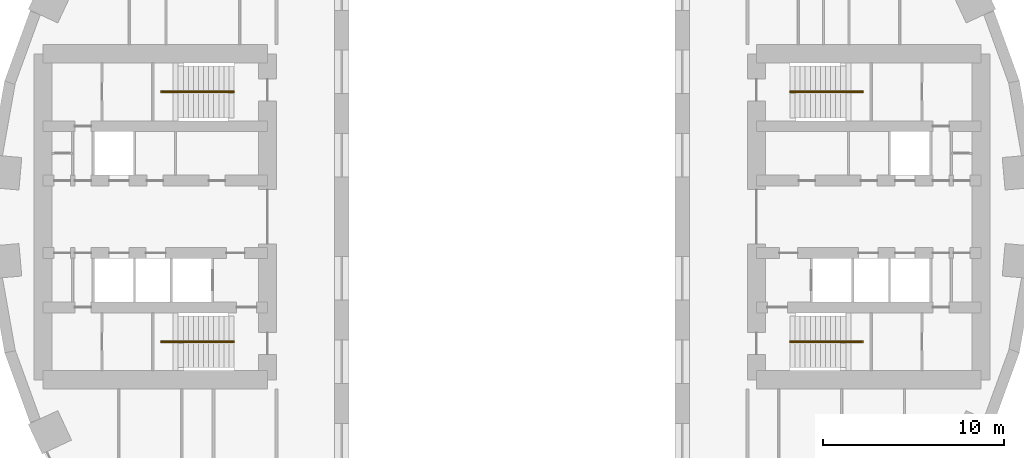
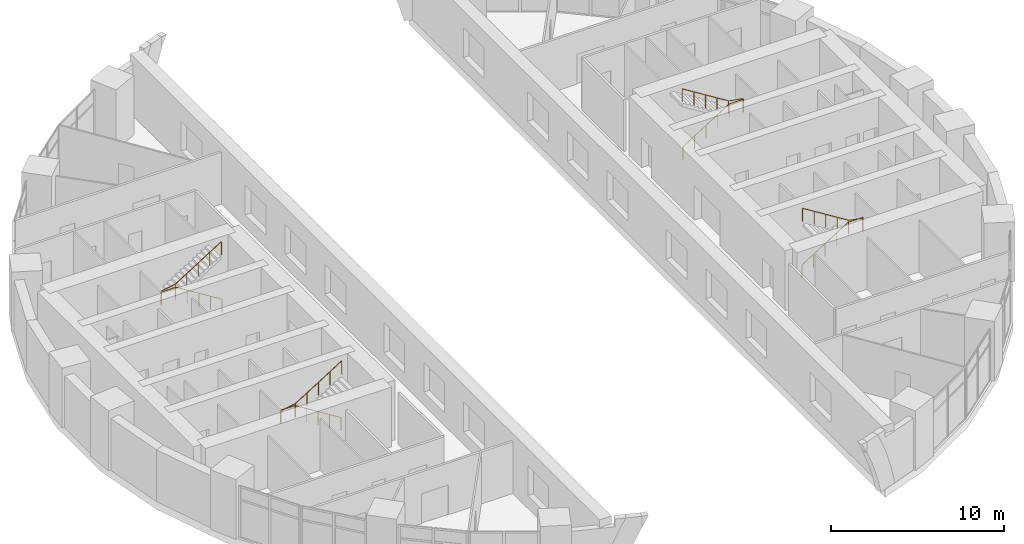
# One storey, part 13 of 13: 4 railings.
"""IFC4 building model written with IfcOpenShell, lengths in metres."""

import ifcopenshell
import ifcopenshell.guid

model = None  # the IFC model being written
_history = None  # IfcOwnerHistory: only IFC2X3 demands one
_inside = {}  # id of a spatial element -> (the spatial element, [elements in it])
_under = {}  # id of a project, library or spatial element -> (it, [spatial elements below it])
_declared = {}  # id of a project -> (the project, [libraries it declares])
_typed = {}  # id of a type object -> (the type object, [elements of that type])
_made_of = {}  # id of a material, layer set ... -> (it, [elements and type objects made of it])


def new_model(schema):
    """Start an empty IFC model of exactly this schema.

    Asked for "IFC4X3", IfcOpenShell would pick the latest addendum, in which some entities
    have other attributes; the version numbers below select the first issue.
    IFC2X3 requires an IfcOwnerHistory on every rooted entity: one is made here for all.
    """
    global model, _history
    if schema == "IFC4X3":
        model = ifcopenshell.file(schema_version=(4, 3, 0, 0))
    else:
        model = ifcopenshell.file(schema=schema)
    _inside.clear()
    _under.clear()
    _declared.clear()
    _typed.clear()
    _made_of.clear()
    _history = None
    if model.schema == "IFC2X3":
        org = make("IfcOrganization", Name="unknown")
        user = make(
            "IfcPersonAndOrganization",
            ThePerson=make("IfcPerson", FamilyName="unknown"),
            TheOrganization=org,
        )
        app = make(
            "IfcApplication",
            ApplicationDeveloper=org,
            Version="unknown",
            ApplicationFullName="unknown",
            ApplicationIdentifier="unknown",
        )
        _history = make(
            "IfcOwnerHistory",
            OwningUser=user,
            OwningApplication=app,
            ChangeAction="ADDED",
            CreationDate=0,
        )
    return model


def make(cls, **values):
    """One entity of the class cls with the attributes given. An attribute that is None is left unset."""
    return model.create_entity(
        cls, **{name: value for name, value in values.items() if value is not None}
    )


def rooted(cls, **values):
    """An entity with a GlobalId (a new one), such as an element, a storey or a relation."""
    return make(cls, GlobalId=ifcopenshell.guid.new(), OwnerHistory=_history, **values)


def si_unit(unit_type, name, prefix=None):
    """IfcSIUnit, for example si_unit("LENGTHUNIT", "METRE", prefix="MILLI")."""
    return make("IfcSIUnit", UnitType=unit_type, Prefix=prefix, Name=name)


def assignment(units):
    """IfcUnitAssignment: the units of a project."""
    return None if units is None else make("IfcUnitAssignment", Units=units)


def point(xyz):
    """IfcCartesianPoint."""
    return None if xyz is None else make("IfcCartesianPoint", Coordinates=xyz)


def direction(xyz):
    """IfcDirection."""
    return None if xyz is None else make("IfcDirection", DirectionRatios=xyz)


def frame(location, z_axis=None, x_axis=None):
    """IfcAxis2Placement3D, a coordinate frame: its origin and axes. An axis left out is left unset."""
    return make(
        "IfcAxis2Placement3D",
        Location=point(location),
        Axis=direction(z_axis),
        RefDirection=direction(x_axis),
    )


def frame_2d(location, x_axis=None):
    """IfcAxis2Placement2D, a coordinate frame in the plane: its origin and x axis."""
    return make(
        "IfcAxis2Placement2D", Location=point(location), RefDirection=direction(x_axis)
    )


def origin():
    """The frame at (0, 0, 0) with its axes left unset."""
    return frame((0.0, 0.0, 0.0))


def origin_2d():
    """The frame at (0, 0) in the plane with its x axis left unset."""
    return frame_2d((0.0, 0.0))


def place(relative_to, where):
    """IfcLocalPlacement: puts the frame where relative to a parent placement (None: the world)."""
    return make(
        "IfcLocalPlacement", PlacementRelTo=relative_to, RelativePlacement=where
    )


def context(
    kind, dimensions, precision=None, world=None, true_north=None, identifier=None
):
    """IfcGeometricRepresentationContext, for example the 3D "Model" context."""
    return make(
        "IfcGeometricRepresentationContext",
        ContextIdentifier=identifier,
        ContextType=kind,
        CoordinateSpaceDimension=dimensions,
        Precision=precision,
        WorldCoordinateSystem=world,
        TrueNorth=true_north,
    )


def subcontext(parent, identifier, kind, view, scale=None):
    """IfcGeometricRepresentationSubContext, for example "Body" below "Model"."""
    return make(
        "IfcGeometricRepresentationSubContext",
        ContextIdentifier=identifier,
        ContextType=kind,
        ParentContext=parent,
        TargetScale=scale,
        TargetView=view,
    )


def project(units=None, contexts=None):
    """IfcProject with its units and contexts."""
    return rooted(
        "IfcProject",
        Name="project",
        RepresentationContexts=contexts,
        UnitsInContext=assignment(units),
    )


def spatial(cls, under=None, at=None, **own):
    """A site, building, storey or space (cls), placed at a placement, below another one or the project."""
    s = rooted(cls, ObjectPlacement=at, **own)
    if under is not None:
        _under.setdefault(under.id(), (under, []))[1].append(s)
    return s


def profile(cls, at=None, kind="AREA", **sizes):
    """A parametric profile (cls). Its sizes go by their IFC names, for example OverallWidth=200.0."""
    return make(cls, ProfileType=kind, Position=at, **sizes)


def circle(**sizes):
    """IfcCircleProfileDef."""
    return profile("IfcCircleProfileDef", **sizes)


def extrude(swept, where, along, depth):
    """IfcExtrudedAreaSolid: the profile swept, set in the frame where, extruded along a direction by depth."""
    return make(
        "IfcExtrudedAreaSolid",
        SweptArea=swept,
        Position=where,
        ExtrudedDirection=direction(along),
        Depth=depth,
    )


def shape(context_of_items, identifier, shape_type, items):
    """IfcShapeRepresentation: the items that make up one representation, for example the "Body"."""
    return make(
        "IfcShapeRepresentation",
        ContextOfItems=context_of_items,
        RepresentationIdentifier=identifier,
        RepresentationType=shape_type,
        Items=items,
    )


def material(Name=None, Category=None):
    """IfcMaterial."""
    return make("IfcMaterial", Name=Name, Category=Category)


def made_of(thing, what):
    """Note that an element or type object is made of a material, layer set ...; save() writes the relation."""
    if what is not None:
        _made_of.setdefault(what.id(), (what, []))[1].append(thing)
    return thing


def type_object(cls, material=None, **own):
    """A type object (cls), such as IfcWallType, which elements share."""
    return made_of(rooted(cls, **own), material)


def element(
    cls,
    number,
    at=None,
    inside=None,
    cuts=None,
    type_object=None,
    material=None,
    context=None,
    identifier="Body",
    shape_type=None,
    held_by="IfcProductDefinitionShape",
    body=None,
    shapes=None,
    **own,
):
    """One element of the class cls, such as IfcWall. Its Tag is "e" and its number.

    at: its placement. inside: the storey or other place that contains it. cuts: it is an
    opening in that element (IfcRelVoidsElement). A single representation is given by context,
    identifier, shape_type and body (its items); several are given by shapes. held_by: the class
    of the entity that holds the representations. save() writes the other relations.
    """
    e = rooted(cls, Tag="e%d" % number, ObjectPlacement=at, **own)
    if body is not None:
        shapes = [shape(context, identifier, shape_type, body)]
    if shapes is not None:
        e.Representation = make(held_by, Representations=shapes)
    if inside is not None:
        _inside.setdefault(inside.id(), (inside, []))[1].append(e)
    if cuts is not None:
        rooted(
            "IfcRelVoidsElement", RelatingBuildingElement=cuts, RelatedOpeningElement=e
        )
    if type_object is not None:
        _typed.setdefault(type_object.id(), (type_object, []))[1].append(e)
    return made_of(e, material)


def aggregate(whole, parts):
    """IfcRelAggregates: a whole, such as a stair, and the parts it consists of."""
    return rooted("IfcRelAggregates", RelatingObject=whole, RelatedObjects=parts)


def save(model, path):
    """Write the relations noted so far, then the file.

    IfcRelAggregates (storeys below a building ...), IfcRelContainedInSpatialStructure (elements
    in a storey), IfcRelDefinesByType, IfcRelAssociatesMaterial and IfcRelDeclares: one each for
    every whole, place, type object, material and project.
    """
    for whole, parts in _under.values():
        aggregate(whole, parts)
    for where, things in _inside.values():
        rooted(
            "IfcRelContainedInSpatialStructure",
            RelatedElements=things,
            RelatingStructure=where,
        )
    for kind, things in _typed.values():
        rooted("IfcRelDefinesByType", RelatedObjects=things, RelatingType=kind)
    for what, things in _made_of.values():
        rooted("IfcRelAssociatesMaterial", RelatedObjects=things, RelatingMaterial=what)
    for by, libraries in _declared.values():
        rooted("IfcRelDeclares", RelatingContext=by, RelatedDefinitions=libraries)
    model.write(path)


model = new_model("IFC4")

# Units and contexts
model_context = context("Model", 3, precision=1e-05, world=origin(), true_north=direction((0.0, 1.0)))
body_context = subcontext(model_context, "Body", "Model", "MODEL_VIEW")
ifc_project = project(units=[si_unit("LENGTHUNIT", "METRE"), si_unit("AREAUNIT", "SQUARE_METRE"), si_unit("VOLUMEUNIT", "CUBIC_METRE"), si_unit("PLANEANGLEUNIT", "RADIAN"), si_unit("MASSUNIT", "GRAM", prefix="KILO")], contexts=[model_context])

# Site, building, storey
site_placement = place(None, origin())
site = spatial("IfcSite", under=ifc_project, at=site_placement, CompositionType="ELEMENT")
building_placement = place(site_placement, origin())
building = spatial("IfcBuilding", under=site, at=building_placement, Name="Saqina Gate Tower", CompositionType="ELEMENT")
storey_placement = place(building_placement, frame((0.0, 0.0, 9.199951171875)))
storey = spatial("IfcBuildingStorey", under=building, at=storey_placement, Name="L02", CompositionType="ELEMENT", Elevation=9.199951171875)

# Railings
ifc_material = material(Name="Stainless steel", Category="steel")
railing_type = type_object("IfcRailingType", Name="STAIR HANDRAIL", PredefinedType="HANDRAIL", material=ifc_material)
railing_1_placement = place(storey_placement, frame((15.35009765625, 6.86669921875, 0.175048828125)))
element("IfcRailing", 1, at=railing_1_placement, inside=storey, type_object=railing_type, Name="EXIT STAIR 1 HANDRAIL", PredefinedType="HANDRAIL", context=body_context, shape_type="SweptSolid", body=[
    extrude(circle(Radius=0.02392578125, at=origin_2d()), frame((0.0, 0.0, 0.92578125), z_axis=(0.847979421464, 0.0, 0.530029150871), x_axis=(0.0, 1.0, 0.0)), (0.0, 0.0, 1.0), 3.632080078125),
    extrude(circle(Radius=0.02392578125, at=origin_2d()), frame((3.079833984375, 0.0, 2.85107421875), z_axis=(1.0, 0.0, 0.0), x_axis=(0.0, 1.0, 0.0)), (0.0, 0.0, 1.0), 0.949951171875),
    extrude(circle(Radius=0.02392578125, at=origin_2d()), frame((4.02978515625, 0.0, 2.85107421875), z_axis=(0.0, 1.0, 0.0), x_axis=(-1.0, 0.0, 0.0)), (0.0, 0.0, 1.0), 0.066650390625),
    extrude(circle(Radius=0.02392578125, at=origin_2d()), frame((4.02978515625, 0.066650390625, 2.85107421875), z_axis=(-0.983442521697, 0.0, 0.181220325895), x_axis=(0.0, -1.0, 0.0)), (0.0, 0.0, 1.0), 0.966064453125),
    extrude(circle(Radius=0.02392578125, at=origin_2d()), frame((3.079833984375, 0.066650390625, 3.02587890625), z_axis=(-0.848009633417, 0.0, 0.529980812513), x_axis=(0.0, -1.0, 0.0)), (0.0, 0.0, 1.0), 3.6318359375),
    extrude(circle(Radius=0.02099609375, at=origin_2d()), origin(), (0.0, 0.0, 1.0), 0.90185546875),
    extrude(circle(Radius=0.02099609375, at=origin_2d()), frame((0.77001953125, 0.0, 0.481201171875)), (0.0, 0.0, 1.0), 0.90185546875),
    extrude(circle(Radius=0.02099609375, at=origin_2d()), frame((1.5400390625, 0.0, 0.96240234375)), (0.0, 0.0, 1.0), 0.90185546875),
    extrude(circle(Radius=0.02099609375, at=origin_2d()), frame((2.309814453125, 0.0, 1.44384765625)), (0.0, 0.0, 1.0), 0.90185546875),
    extrude(circle(Radius=0.02099609375, at=origin_2d()), frame((3.079833984375, 0.0, 1.925048828125)), (0.0, 0.0, 1.0), 0.90185546875),
    extrude(circle(Radius=0.02099609375, at=origin_2d()), frame((4.02978515625, 0.0, 1.925048828125)), (0.0, 0.0, 1.0), 0.90185546875),
    extrude(circle(Radius=0.02099609375, at=origin_2d()), frame((4.02978515625, 0.066650390625, 1.925048828125)), (0.0, 0.0, 1.0), 0.90185546875),
    extrude(circle(Radius=0.02099609375, at=origin_2d()), frame((3.079833984375, 0.066650390625, 2.10009765625)), (0.0, 0.0, 1.0), 0.90185546875),
    extrude(circle(Radius=0.02099609375, at=origin_2d()), frame((2.309814453125, 0.066650390625, 2.581298828125)), (0.0, 0.0, 1.0), 0.90185546875),
    extrude(circle(Radius=0.02099609375, at=origin_2d()), frame((1.5400390625, 0.066650390625, 3.0625)), (0.0, 0.0, 1.0), 0.90185546875),
    extrude(circle(Radius=0.02099609375, at=origin_2d()), frame((0.77001953125, 0.066650390625, 3.543701171875)), (0.0, 0.0, 1.0), 0.90185546875),
    extrude(circle(Radius=0.02099609375, at=origin_2d()), frame((0.0, 0.066650390625, 4.02490234375)), (0.0, 0.0, 1.0), 0.90185546875),
])
railing_2_placement = place(storey_placement, frame((15.35009765625, -6.86669921875, 0.175048828125)))
element("IfcRailing", 2, at=railing_2_placement, inside=storey, type_object=railing_type, Name="EXIT STAIR 2 HANDRAIL", PredefinedType="HANDRAIL", context=body_context, shape_type="SweptSolid", body=[
    extrude(circle(Radius=0.02392578125, at=origin_2d()), frame((0.0, 0.0, 0.92578125), z_axis=(0.847979421464, 0.0, 0.530029150871), x_axis=(0.0, 1.0, 0.0)), (0.0, 0.0, 1.0), 3.632080078125),
    extrude(circle(Radius=0.02392578125, at=origin_2d()), frame((3.079833984375, 0.0, 2.85107421875), z_axis=(1.0, 0.0, 0.0), x_axis=(0.0, 1.0, 0.0)), (0.0, 0.0, 1.0), 0.949951171875),
    extrude(circle(Radius=0.02392578125, at=origin_2d()), frame((4.02978515625, 0.0, 2.85107421875), z_axis=(0.0, -1.0, 0.0), x_axis=(1.0, 0.0, 0.0)), (0.0, 0.0, 1.0), 0.066650390625),
    extrude(circle(Radius=0.02392578125, at=origin_2d()), frame((4.02978515625, -0.066650390625, 2.85107421875), z_axis=(-0.983442521697, 0.0, 0.181220325895), x_axis=(0.0, -1.0, 0.0)), (0.0, 0.0, 1.0), 0.966064453125),
    extrude(circle(Radius=0.02392578125, at=origin_2d()), frame((3.079833984375, -0.066650390625, 3.02587890625), z_axis=(-0.848009633417, 0.0, 0.529980812513), x_axis=(0.0, -1.0, 0.0)), (0.0, 0.0, 1.0), 3.6318359375),
    extrude(circle(Radius=0.02099609375, at=origin_2d()), origin(), (0.0, 0.0, 1.0), 0.90185546875),
    extrude(circle(Radius=0.02099609375, at=origin_2d()), frame((0.77001953125, 0.0, 0.481201171875)), (0.0, 0.0, 1.0), 0.90185546875),
    extrude(circle(Radius=0.02099609375, at=origin_2d()), frame((1.5400390625, 0.0, 0.96240234375)), (0.0, 0.0, 1.0), 0.90185546875),
    extrude(circle(Radius=0.02099609375, at=origin_2d()), frame((2.309814453125, 0.0, 1.44384765625)), (0.0, 0.0, 1.0), 0.90185546875),
    extrude(circle(Radius=0.02099609375, at=origin_2d()), frame((3.079833984375, 0.0, 1.925048828125)), (0.0, 0.0, 1.0), 0.90185546875),
    extrude(circle(Radius=0.02099609375, at=origin_2d()), frame((4.02978515625, 0.0, 1.925048828125)), (0.0, 0.0, 1.0), 0.90185546875),
    extrude(circle(Radius=0.02099609375, at=origin_2d()), frame((4.02978515625, -0.066650390625, 1.925048828125)), (0.0, 0.0, 1.0), 0.90185546875),
    extrude(circle(Radius=0.02099609375, at=origin_2d()), frame((3.079833984375, -0.066650390625, 2.10009765625)), (0.0, 0.0, 1.0), 0.90185546875),
    extrude(circle(Radius=0.02099609375, at=origin_2d()), frame((2.309814453125, -0.066650390625, 2.581298828125)), (0.0, 0.0, 1.0), 0.90185546875),
    extrude(circle(Radius=0.02099609375, at=origin_2d()), frame((1.5400390625, -0.066650390625, 3.0625)), (0.0, 0.0, 1.0), 0.90185546875),
    extrude(circle(Radius=0.02099609375, at=origin_2d()), frame((0.77001953125, -0.066650390625, 3.543701171875)), (0.0, 0.0, 1.0), 0.90185546875),
    extrude(circle(Radius=0.02099609375, at=origin_2d()), frame((0.0, -0.066650390625, 4.02490234375)), (0.0, 0.0, 1.0), 0.90185546875),
])
railing_3_placement = place(storey_placement, frame((-15.35009765625, 6.86669921875, 0.175048828125)))
element("IfcRailing", 3, at=railing_3_placement, inside=storey, type_object=railing_type, Name="EXIT STAIR 3 HANDRAIL", PredefinedType="HANDRAIL", context=body_context, shape_type="SweptSolid", body=[
    extrude(circle(Radius=0.02392578125, at=origin_2d()), frame((0.0, 0.0, 0.92578125), z_axis=(-0.847979421464, 0.0, 0.530029150871), x_axis=(0.0, -1.0, 0.0)), (0.0, 0.0, 1.0), 3.632080078125),
    extrude(circle(Radius=0.02392578125, at=origin_2d()), frame((-3.079833984375, 0.0, 2.85107421875), z_axis=(-1.0, 0.0, 0.0), x_axis=(0.0, -1.0, 0.0)), (0.0, 0.0, 1.0), 0.949951171875),
    extrude(circle(Radius=0.02392578125, at=origin_2d()), frame((-4.02978515625, 0.0, 2.85107421875), z_axis=(0.0, 1.0, 0.0), x_axis=(-1.0, 0.0, 0.0)), (0.0, 0.0, 1.0), 0.066650390625),
    extrude(circle(Radius=0.02392578125, at=origin_2d()), frame((-4.02978515625, 0.066650390625, 2.85107421875), z_axis=(0.983442521697, 0.0, 0.181220325895), x_axis=(0.0, 1.0, 0.0)), (0.0, 0.0, 1.0), 0.966064453125),
    extrude(circle(Radius=0.02392578125, at=origin_2d()), frame((-3.079833984375, 0.066650390625, 3.02587890625), z_axis=(0.848009633417, 0.0, 0.529980812513), x_axis=(0.0, 1.0, 0.0)), (0.0, 0.0, 1.0), 3.6318359375),
    extrude(circle(Radius=0.02099609375, at=origin_2d()), origin(), (0.0, 0.0, 1.0), 0.90185546875),
    extrude(circle(Radius=0.02099609375, at=origin_2d()), frame((-0.77001953125, 0.0, 0.481201171875)), (0.0, 0.0, 1.0), 0.90185546875),
    extrude(circle(Radius=0.02099609375, at=origin_2d()), frame((-1.5400390625, 0.0, 0.96240234375)), (0.0, 0.0, 1.0), 0.90185546875),
    extrude(circle(Radius=0.02099609375, at=origin_2d()), frame((-2.309814453125, 0.0, 1.44384765625)), (0.0, 0.0, 1.0), 0.90185546875),
    extrude(circle(Radius=0.02099609375, at=origin_2d()), frame((-3.079833984375, 0.0, 1.925048828125)), (0.0, 0.0, 1.0), 0.90185546875),
    extrude(circle(Radius=0.02099609375, at=origin_2d()), frame((-4.02978515625, 0.0, 1.925048828125)), (0.0, 0.0, 1.0), 0.90185546875),
    extrude(circle(Radius=0.02099609375, at=origin_2d()), frame((-4.02978515625, 0.066650390625, 1.925048828125)), (0.0, 0.0, 1.0), 0.90185546875),
    extrude(circle(Radius=0.02099609375, at=origin_2d()), frame((-3.079833984375, 0.066650390625, 2.10009765625)), (0.0, 0.0, 1.0), 0.90185546875),
    extrude(circle(Radius=0.02099609375, at=origin_2d()), frame((-2.309814453125, 0.066650390625, 2.581298828125)), (0.0, 0.0, 1.0), 0.90185546875),
    extrude(circle(Radius=0.02099609375, at=origin_2d()), frame((-1.5400390625, 0.066650390625, 3.0625)), (0.0, 0.0, 1.0), 0.90185546875),
    extrude(circle(Radius=0.02099609375, at=origin_2d()), frame((-0.77001953125, 0.066650390625, 3.543701171875)), (0.0, 0.0, 1.0), 0.90185546875),
    extrude(circle(Radius=0.02099609375, at=origin_2d()), frame((0.0, 0.066650390625, 4.02490234375)), (0.0, 0.0, 1.0), 0.90185546875),
])
railing_4_placement = place(storey_placement, frame((-15.35009765625, -6.86669921875, 0.175048828125)))
element("IfcRailing", 4, at=railing_4_placement, inside=storey, type_object=railing_type, Name="EXIT STAIR 4 HANDRAIL", PredefinedType="HANDRAIL", context=body_context, shape_type="SweptSolid", body=[
    extrude(circle(Radius=0.02392578125, at=origin_2d()), frame((0.0, 0.0, 0.92578125), z_axis=(-0.847979421464, 0.0, 0.530029150871), x_axis=(0.0, -1.0, 0.0)), (0.0, 0.0, 1.0), 3.632080078125),
    extrude(circle(Radius=0.02392578125, at=origin_2d()), frame((-3.079833984375, 0.0, 2.85107421875), z_axis=(-1.0, 0.0, 0.0), x_axis=(0.0, -1.0, 0.0)), (0.0, 0.0, 1.0), 0.949951171875),
    extrude(circle(Radius=0.02392578125, at=origin_2d()), frame((-4.02978515625, 0.0, 2.85107421875), z_axis=(0.0, -1.0, 0.0), x_axis=(1.0, 0.0, 0.0)), (0.0, 0.0, 1.0), 0.066650390625),
    extrude(circle(Radius=0.02392578125, at=origin_2d()), frame((-4.02978515625, -0.066650390625, 2.85107421875), z_axis=(0.983442521697, 0.0, 0.181220325895), x_axis=(0.0, 1.0, 0.0)), (0.0, 0.0, 1.0), 0.966064453125),
    extrude(circle(Radius=0.02392578125, at=origin_2d()), frame((-3.079833984375, -0.066650390625, 3.02587890625), z_axis=(0.848009633417, 0.0, 0.529980812513), x_axis=(0.0, 1.0, 0.0)), (0.0, 0.0, 1.0), 3.6318359375),
    extrude(circle(Radius=0.02099609375, at=origin_2d()), origin(), (0.0, 0.0, 1.0), 0.90185546875),
    extrude(circle(Radius=0.02099609375, at=origin_2d()), frame((-0.77001953125, 0.0, 0.481201171875)), (0.0, 0.0, 1.0), 0.90185546875),
    extrude(circle(Radius=0.02099609375, at=origin_2d()), frame((-1.5400390625, 0.0, 0.96240234375)), (0.0, 0.0, 1.0), 0.90185546875),
    extrude(circle(Radius=0.02099609375, at=origin_2d()), frame((-2.309814453125, 0.0, 1.44384765625)), (0.0, 0.0, 1.0), 0.90185546875),
    extrude(circle(Radius=0.02099609375, at=origin_2d()), frame((-3.079833984375, 0.0, 1.925048828125)), (0.0, 0.0, 1.0), 0.90185546875),
    extrude(circle(Radius=0.02099609375, at=origin_2d()), frame((-4.02978515625, 0.0, 1.925048828125)), (0.0, 0.0, 1.0), 0.90185546875),
    extrude(circle(Radius=0.02099609375, at=origin_2d()), frame((-4.02978515625, -0.066650390625, 1.925048828125)), (0.0, 0.0, 1.0), 0.90185546875),
    extrude(circle(Radius=0.02099609375, at=origin_2d()), frame((-3.079833984375, -0.066650390625, 2.10009765625)), (0.0, 0.0, 1.0), 0.90185546875),
    extrude(circle(Radius=0.02099609375, at=origin_2d()), frame((-2.309814453125, -0.066650390625, 2.581298828125)), (0.0, 0.0, 1.0), 0.90185546875),
    extrude(circle(Radius=0.02099609375, at=origin_2d()), frame((-1.5400390625, -0.066650390625, 3.0625)), (0.0, 0.0, 1.0), 0.90185546875),
    extrude(circle(Radius=0.02099609375, at=origin_2d()), frame((-0.77001953125, -0.066650390625, 3.543701171875)), (0.0, 0.0, 1.0), 0.90185546875),
    extrude(circle(Radius=0.02099609375, at=origin_2d()), frame((0.0, -0.066650390625, 4.02490234375)), (0.0, 0.0, 1.0), 0.90185546875),
])

save(model, "model.ifc")
